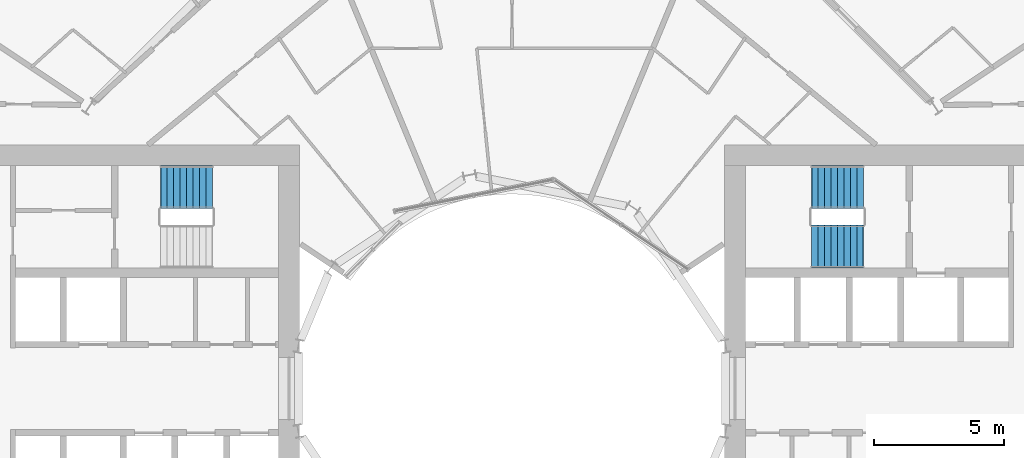
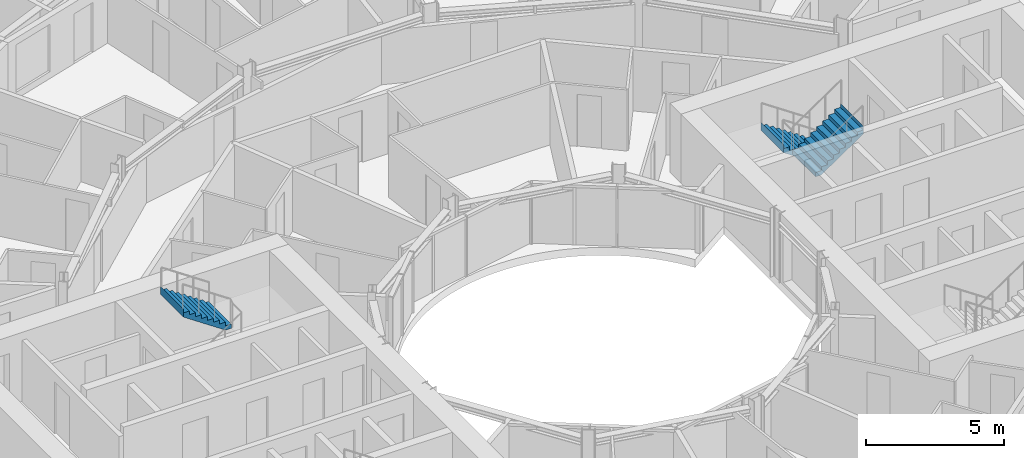
# One storey, part 24 of 26: 3 stair flights, 2 elements without a shape of their own.
"""IFC4 building model written with IfcOpenShell, lengths in metres."""

from ifc_helpers import new_model, si_unit, direction, frame, origin, place, context, subcontext, project, spatial, triangles, material, type_object, element, aggregate, save


model = new_model("IFC4")

# Units and contexts
model_context = context("Model", 3, precision=1e-05, world=origin(), true_north=direction((0.0, 1.0)))
body_context = subcontext(model_context, "Body", "Model", "MODEL_VIEW")
ifc_project = project(units=[si_unit("LENGTHUNIT", "METRE"), si_unit("AREAUNIT", "SQUARE_METRE"), si_unit("VOLUMEUNIT", "CUBIC_METRE"), si_unit("PLANEANGLEUNIT", "RADIAN"), si_unit("MASSUNIT", "GRAM", prefix="KILO")], contexts=[model_context])

# Site, building, storey
site_placement = place(None, origin())
site = spatial("IfcSite", under=ifc_project, at=site_placement, CompositionType="ELEMENT")
building_placement = place(site_placement, origin())
building = spatial("IfcBuilding", under=site, at=building_placement, Name="Maasbend Ring Residences", CompositionType="ELEMENT")
storey_placement = place(building_placement, frame((0.0, 0.0, 35.0)))
storey = spatial("IfcBuildingStorey", under=building, at=storey_placement, Name="L09", CompositionType="ELEMENT", Elevation=35.0)

# Stair, stair flights
ifc_material_1 = material(Name="Concrete C40/50", Category="concrete")
stair_type = type_object("IfcStairType", Name="CORE STAIR 18 RISERS", PredefinedType="HALF_TURN_STAIR", material=ifc_material_1)
stair_1_placement = place(storey_placement, origin())
stair_1 = element("IfcStair", 1, at=stair_1_placement, inside=storey, type_object=stair_type, Name="L09 Exit stair ST-E1", PredefinedType="HALF_TURN_STAIR")
ifc_material_2 = material(Name="Concrete C40/50", Category="concrete")
stair_flight_type = type_object("IfcStairFlightType", Name="CORE STAIR FLIGHT 1650", PredefinedType="STRAIGHT", material=ifc_material_2)
stair_flight_1_placement = place(storey_placement, frame((13.550048828125, 7.77490234375, 0.0), z_axis=(0.0, 0.0, 1.0), x_axis=(-1.0, 0.0, 0.0)))
stair_flight_1 = element("IfcStairFlight", 2, at=stair_flight_1_placement, type_object=stair_flight_type, Name="ST-E1 flight 1", NumberOfRisers=9, NumberOfTreads=8, PredefinedType="STRAIGHT", RiserHeight=0.169444444, TreadLength=0.25, context=body_context, shape_type="Tessellation", body=[
    triangles([(0.24072265625, 0.824951171875, -0.02001953125), (2.0029296875, 0.824951171875, 1.174560546875), (2.0029296875, 0.824951171875, 1.52490234375), (1.989990234375, 0.824951171875, 1.35546875), (1.75, 0.824951171875, 1.35546875), (1.75, 0.824951171875, 1.18603515625), (1.5, 0.824951171875, 1.18603515625), (1.5, 0.824951171875, 1.0166015625), (1.25, 0.824951171875, 1.0166015625), (1.25, 0.824951171875, 0.84716796875), (1.0, 0.824951171875, 0.84716796875), (1.0, 0.824951171875, 0.677734375), (0.75, 0.824951171875, 0.677734375), (0.75, 0.824951171875, 0.50830078125), (0.5, 0.824951171875, 0.50830078125), (0.5, 0.824951171875, 0.3388671875), (0.25, 0.824951171875, 0.3388671875), (0.25, 0.824951171875, 0.16943359375), (0.0, 0.824951171875, 0.16943359375), (0.0, 0.824951171875, 0.0), (-0.0029296875, 0.824951171875, 0.0), (-0.0029296875, 0.824951171875, -0.02001953125), (0.24072265625, 0.27490234375, -0.02001953125), (2.0029296875, 0.27490234375, 1.174560546875), (2.0029296875, 0.27490234375, 1.52490234375), (1.989990234375, 0.27490234375, 1.35546875), (1.75, 0.27490234375, 1.35546875), (1.75, 0.27490234375, 1.18603515625), (1.5, 0.27490234375, 1.18603515625), (1.5, 0.27490234375, 1.0166015625), (1.25, 0.27490234375, 1.0166015625), (1.25, 0.27490234375, 0.84716796875), (1.0, 0.27490234375, 0.84716796875), (1.0, 0.27490234375, 0.677734375), (0.75, 0.27490234375, 0.677734375), (0.75, 0.27490234375, 0.50830078125), (0.5, 0.27490234375, 0.50830078125), (0.5, 0.27490234375, 0.3388671875), (0.25, 0.27490234375, 0.3388671875), (0.25, 0.27490234375, 0.16943359375), (0.0, 0.27490234375, 0.16943359375), (0.0, 0.27490234375, 0.0), (-0.0029296875, 0.27490234375, 0.0), (-0.0029296875, 0.27490234375, -0.02001953125), (0.24072265625, -0.27490234375, -0.02001953125), (2.0029296875, -0.27490234375, 1.174560546875), (2.0029296875, -0.27490234375, 1.52490234375), (1.989990234375, -0.27490234375, 1.35546875), (1.75, -0.27490234375, 1.35546875), (1.75, -0.27490234375, 1.18603515625), (1.5, -0.27490234375, 1.18603515625), (1.5, -0.27490234375, 1.0166015625), (1.25, -0.27490234375, 1.0166015625), (1.25, -0.27490234375, 0.84716796875), (1.0, -0.27490234375, 0.84716796875), (1.0, -0.27490234375, 0.677734375), (0.75, -0.27490234375, 0.677734375), (0.75, -0.27490234375, 0.50830078125), (0.5, -0.27490234375, 0.50830078125), (0.5, -0.27490234375, 0.3388671875), (0.25, -0.27490234375, 0.3388671875), (0.25, -0.27490234375, 0.16943359375), (0.0, -0.27490234375, 0.16943359375), (0.0, -0.27490234375, 0.0), (-0.0029296875, -0.27490234375, 0.0), (-0.0029296875, -0.27490234375, -0.02001953125), (0.24072265625, -0.824951171875, -0.02001953125), (2.0029296875, -0.824951171875, 1.174560546875), (2.0029296875, -0.824951171875, 1.52490234375), (1.989990234375, -0.824951171875, 1.35546875), (1.75, -0.824951171875, 1.35546875), (1.75, -0.824951171875, 1.18603515625), (1.5, -0.824951171875, 1.18603515625), (1.5, -0.824951171875, 1.0166015625), (1.25, -0.824951171875, 1.0166015625), (1.25, -0.824951171875, 0.84716796875), (1.0, -0.824951171875, 0.84716796875), (1.0, -0.824951171875, 0.677734375), (0.75, -0.824951171875, 0.677734375), (0.75, -0.824951171875, 0.50830078125), (0.5, -0.824951171875, 0.50830078125), (0.5, -0.824951171875, 0.3388671875), (0.25, -0.824951171875, 0.3388671875), (0.25, -0.824951171875, 0.16943359375), (0.0, -0.824951171875, 0.16943359375), (0.0, -0.824951171875, 0.0), (-0.0029296875, -0.824951171875, 0.0), (-0.0029296875, -0.824951171875, -0.02001953125)], [[1, 2, 24], [1, 24, 23], [23, 24, 46], [23, 46, 45], [45, 46, 68], [45, 68, 67], [2, 3, 25], [2, 25, 24], [24, 25, 47], [24, 47, 46], [46, 47, 69], [46, 69, 68], [3, 4, 26], [3, 26, 25], [25, 26, 48], [25, 48, 47], [47, 48, 70], [47, 70, 69], [4, 5, 27], [4, 27, 26], [26, 27, 49], [26, 49, 48], [48, 49, 71], [48, 71, 70], [5, 6, 28], [5, 28, 27], [27, 28, 50], [27, 50, 49], [49, 50, 72], [49, 72, 71], [6, 7, 29], [6, 29, 28], [28, 29, 51], [28, 51, 50], [50, 51, 73], [50, 73, 72], [7, 8, 30], [7, 30, 29], [29, 30, 52], [29, 52, 51], [51, 52, 74], [51, 74, 73], [8, 9, 31], [8, 31, 30], [30, 31, 53], [30, 53, 52], [52, 53, 75], [52, 75, 74], [9, 10, 32], [9, 32, 31], [31, 32, 54], [31, 54, 53], [53, 54, 76], [53, 76, 75], [10, 11, 33], [10, 33, 32], [32, 33, 55], [32, 55, 54], [54, 55, 77], [54, 77, 76], [11, 12, 34], [11, 34, 33], [33, 34, 56], [33, 56, 55], [55, 56, 78], [55, 78, 77], [12, 13, 35], [12, 35, 34], [34, 35, 57], [34, 57, 56], [56, 57, 79], [56, 79, 78], [13, 14, 36], [13, 36, 35], [35, 36, 58], [35, 58, 57], [57, 58, 80], [57, 80, 79], [14, 15, 37], [14, 37, 36], [36, 37, 59], [36, 59, 58], [58, 59, 81], [58, 81, 80], [15, 16, 38], [15, 38, 37], [37, 38, 60], [37, 60, 59], [59, 60, 82], [59, 82, 81], [16, 17, 39], [16, 39, 38], [38, 39, 61], [38, 61, 60], [60, 61, 83], [60, 83, 82], [17, 18, 40], [17, 40, 39], [39, 40, 62], [39, 62, 61], [61, 62, 84], [61, 84, 83], [18, 19, 41], [18, 41, 40], [40, 41, 63], [40, 63, 62], [62, 63, 85], [62, 85, 84], [19, 20, 42], [19, 42, 41], [41, 42, 64], [41, 64, 63], [63, 64, 86], [63, 86, 85], [20, 21, 43], [20, 43, 42], [42, 43, 65], [42, 65, 64], [64, 65, 87], [64, 87, 86], [21, 22, 44], [21, 44, 43], [43, 44, 66], [43, 66, 65], [65, 66, 88], [65, 88, 87], [22, 1, 23], [22, 23, 44], [44, 23, 45], [44, 45, 66], [66, 45, 67], [66, 67, 88], [22, 2, 1], [2, 4, 3], [2, 5, 4], [2, 6, 5], [22, 6, 2], [6, 8, 7], [22, 8, 6], [8, 10, 9], [22, 10, 8], [10, 12, 11], [22, 12, 10], [12, 14, 13], [22, 14, 12], [14, 16, 15], [22, 16, 14], [16, 18, 17], [22, 18, 16], [18, 20, 19], [22, 20, 18], [20, 22, 21], [88, 67, 68], [68, 69, 70], [68, 70, 71], [68, 71, 72], [88, 68, 72], [72, 73, 74], [88, 72, 74], [74, 75, 76], [88, 74, 76], [76, 77, 78], [88, 76, 78], [78, 79, 80], [88, 78, 80], [80, 81, 82], [88, 80, 82], [82, 83, 84], [88, 82, 84], [84, 85, 86], [88, 84, 86], [86, 87, 88]], closed=True),
])
stair_flight_2_placement = place(storey_placement, frame((11.550048828125, 5.47509765625, 1.52490234375), z_axis=(0.0, 0.0, 1.0), x_axis=(1.0, 0.0, 0.0)))
stair_flight_2 = element("IfcStairFlight", 3, at=stair_flight_2_placement, type_object=stair_flight_type, Name="ST-E1 flight 2", NumberOfRisers=9, NumberOfTreads=8, PredefinedType="STRAIGHT", RiserHeight=0.169444444, TreadLength=0.25, context=body_context, shape_type="Tessellation", body=[
    triangles([(0.24072265625, 0.824951171875, -0.02001953125), (2.0029296875, 0.824951171875, 1.174560546875), (2.0029296875, 0.824951171875, 1.52490234375), (1.989990234375, 0.824951171875, 1.35546875), (1.75, 0.824951171875, 1.35546875), (1.75, 0.824951171875, 1.18603515625), (1.5, 0.824951171875, 1.18603515625), (1.5, 0.824951171875, 1.0166015625), (1.25, 0.824951171875, 1.0166015625), (1.25, 0.824951171875, 0.84716796875), (1.0, 0.824951171875, 0.84716796875), (1.0, 0.824951171875, 0.677734375), (0.75, 0.824951171875, 0.677734375), (0.75, 0.824951171875, 0.50830078125), (0.5, 0.824951171875, 0.50830078125), (0.5, 0.824951171875, 0.3388671875), (0.25, 0.824951171875, 0.3388671875), (0.25, 0.824951171875, 0.16943359375), (0.0, 0.824951171875, 0.16943359375), (0.0, 0.824951171875, 0.0), (-0.0029296875, 0.824951171875, 0.0), (-0.0029296875, 0.824951171875, -0.02001953125), (0.24072265625, 0.27490234375, -0.02001953125), (2.0029296875, 0.27490234375, 1.174560546875), (2.0029296875, 0.27490234375, 1.52490234375), (1.989990234375, 0.27490234375, 1.35546875), (1.75, 0.27490234375, 1.35546875), (1.75, 0.27490234375, 1.18603515625), (1.5, 0.27490234375, 1.18603515625), (1.5, 0.27490234375, 1.0166015625), (1.25, 0.27490234375, 1.0166015625), (1.25, 0.27490234375, 0.84716796875), (1.0, 0.27490234375, 0.84716796875), (1.0, 0.27490234375, 0.677734375), (0.75, 0.27490234375, 0.677734375), (0.75, 0.27490234375, 0.50830078125), (0.5, 0.27490234375, 0.50830078125), (0.5, 0.27490234375, 0.3388671875), (0.25, 0.27490234375, 0.3388671875), (0.25, 0.27490234375, 0.16943359375), (0.0, 0.27490234375, 0.16943359375), (0.0, 0.27490234375, 0.0), (-0.0029296875, 0.27490234375, 0.0), (-0.0029296875, 0.27490234375, -0.02001953125), (0.24072265625, -0.27490234375, -0.02001953125), (2.0029296875, -0.27490234375, 1.174560546875), (2.0029296875, -0.27490234375, 1.52490234375), (1.989990234375, -0.27490234375, 1.35546875), (1.75, -0.27490234375, 1.35546875), (1.75, -0.27490234375, 1.18603515625), (1.5, -0.27490234375, 1.18603515625), (1.5, -0.27490234375, 1.0166015625), (1.25, -0.27490234375, 1.0166015625), (1.25, -0.27490234375, 0.84716796875), (1.0, -0.27490234375, 0.84716796875), (1.0, -0.27490234375, 0.677734375), (0.75, -0.27490234375, 0.677734375), (0.75, -0.27490234375, 0.50830078125), (0.5, -0.27490234375, 0.50830078125), (0.5, -0.27490234375, 0.3388671875), (0.25, -0.27490234375, 0.3388671875), (0.25, -0.27490234375, 0.16943359375), (0.0, -0.27490234375, 0.16943359375), (0.0, -0.27490234375, 0.0), (-0.0029296875, -0.27490234375, 0.0), (-0.0029296875, -0.27490234375, -0.02001953125), (0.24072265625, -0.824951171875, -0.02001953125), (2.0029296875, -0.824951171875, 1.174560546875), (2.0029296875, -0.824951171875, 1.52490234375), (1.989990234375, -0.824951171875, 1.35546875), (1.75, -0.824951171875, 1.35546875), (1.75, -0.824951171875, 1.18603515625), (1.5, -0.824951171875, 1.18603515625), (1.5, -0.824951171875, 1.0166015625), (1.25, -0.824951171875, 1.0166015625), (1.25, -0.824951171875, 0.84716796875), (1.0, -0.824951171875, 0.84716796875), (1.0, -0.824951171875, 0.677734375), (0.75, -0.824951171875, 0.677734375), (0.75, -0.824951171875, 0.50830078125), (0.5, -0.824951171875, 0.50830078125), (0.5, -0.824951171875, 0.3388671875), (0.25, -0.824951171875, 0.3388671875), (0.25, -0.824951171875, 0.16943359375), (0.0, -0.824951171875, 0.16943359375), (0.0, -0.824951171875, 0.0), (-0.0029296875, -0.824951171875, 0.0), (-0.0029296875, -0.824951171875, -0.02001953125)], [[1, 2, 24], [1, 24, 23], [23, 24, 46], [23, 46, 45], [45, 46, 68], [45, 68, 67], [2, 3, 25], [2, 25, 24], [24, 25, 47], [24, 47, 46], [46, 47, 69], [46, 69, 68], [3, 4, 26], [3, 26, 25], [25, 26, 48], [25, 48, 47], [47, 48, 70], [47, 70, 69], [4, 5, 27], [4, 27, 26], [26, 27, 49], [26, 49, 48], [48, 49, 71], [48, 71, 70], [5, 6, 28], [5, 28, 27], [27, 28, 50], [27, 50, 49], [49, 50, 72], [49, 72, 71], [6, 7, 29], [6, 29, 28], [28, 29, 51], [28, 51, 50], [50, 51, 73], [50, 73, 72], [7, 8, 30], [7, 30, 29], [29, 30, 52], [29, 52, 51], [51, 52, 74], [51, 74, 73], [8, 9, 31], [8, 31, 30], [30, 31, 53], [30, 53, 52], [52, 53, 75], [52, 75, 74], [9, 10, 32], [9, 32, 31], [31, 32, 54], [31, 54, 53], [53, 54, 76], [53, 76, 75], [10, 11, 33], [10, 33, 32], [32, 33, 55], [32, 55, 54], [54, 55, 77], [54, 77, 76], [11, 12, 34], [11, 34, 33], [33, 34, 56], [33, 56, 55], [55, 56, 78], [55, 78, 77], [12, 13, 35], [12, 35, 34], [34, 35, 57], [34, 57, 56], [56, 57, 79], [56, 79, 78], [13, 14, 36], [13, 36, 35], [35, 36, 58], [35, 58, 57], [57, 58, 80], [57, 80, 79], [14, 15, 37], [14, 37, 36], [36, 37, 59], [36, 59, 58], [58, 59, 81], [58, 81, 80], [15, 16, 38], [15, 38, 37], [37, 38, 60], [37, 60, 59], [59, 60, 82], [59, 82, 81], [16, 17, 39], [16, 39, 38], [38, 39, 61], [38, 61, 60], [60, 61, 83], [60, 83, 82], [17, 18, 40], [17, 40, 39], [39, 40, 62], [39, 62, 61], [61, 62, 84], [61, 84, 83], [18, 19, 41], [18, 41, 40], [40, 41, 63], [40, 63, 62], [62, 63, 85], [62, 85, 84], [19, 20, 42], [19, 42, 41], [41, 42, 64], [41, 64, 63], [63, 64, 86], [63, 86, 85], [20, 21, 43], [20, 43, 42], [42, 43, 65], [42, 65, 64], [64, 65, 87], [64, 87, 86], [21, 22, 44], [21, 44, 43], [43, 44, 66], [43, 66, 65], [65, 66, 88], [65, 88, 87], [22, 1, 23], [22, 23, 44], [44, 23, 45], [44, 45, 66], [66, 45, 67], [66, 67, 88], [22, 2, 1], [2, 4, 3], [2, 5, 4], [2, 6, 5], [22, 6, 2], [6, 8, 7], [22, 8, 6], [8, 10, 9], [22, 10, 8], [10, 12, 11], [22, 12, 10], [12, 14, 13], [22, 14, 12], [14, 16, 15], [22, 16, 14], [16, 18, 17], [22, 18, 16], [18, 20, 19], [22, 20, 18], [20, 22, 21], [88, 67, 68], [68, 69, 70], [68, 70, 71], [68, 71, 72], [88, 68, 72], [72, 73, 74], [88, 72, 74], [74, 75, 76], [88, 74, 76], [76, 77, 78], [88, 76, 78], [78, 79, 80], [88, 78, 80], [80, 81, 82], [88, 80, 82], [82, 83, 84], [88, 82, 84], [84, 85, 86], [88, 84, 86], [86, 87, 88]], closed=True),
])
aggregate(stair_1, [stair_flight_1, stair_flight_2])

# Stair, stair flight
stair_2_placement = place(storey_placement, origin())
stair_2 = element("IfcStair", 4, at=stair_2_placement, inside=storey, type_object=stair_type, Name="L09 Exit stair ST-W2", PredefinedType="HALF_TURN_STAIR")
stair_flight_3_placement = place(storey_placement, frame((-11.550048828125, 7.77490234375, 1.52490234375), z_axis=(0.0, 0.0, 1.0), x_axis=(-1.0, 0.0, 0.0)))
stair_flight_3 = element("IfcStairFlight", 5, at=stair_flight_3_placement, type_object=stair_flight_type, Name="ST-W2 flight 2", NumberOfRisers=9, NumberOfTreads=8, PredefinedType="STRAIGHT", RiserHeight=0.169444444, TreadLength=0.25, context=body_context, shape_type="Tessellation", body=[
    triangles([(0.24072265625, 0.824951171875, -0.02001953125), (2.0029296875, 0.824951171875, 1.174560546875), (2.0029296875, 0.824951171875, 1.52490234375), (1.989990234375, 0.824951171875, 1.35546875), (1.75, 0.824951171875, 1.35546875), (1.75, 0.824951171875, 1.18603515625), (1.5, 0.824951171875, 1.18603515625), (1.5, 0.824951171875, 1.0166015625), (1.25, 0.824951171875, 1.0166015625), (1.25, 0.824951171875, 0.84716796875), (1.0, 0.824951171875, 0.84716796875), (1.0, 0.824951171875, 0.677734375), (0.75, 0.824951171875, 0.677734375), (0.75, 0.824951171875, 0.50830078125), (0.5, 0.824951171875, 0.50830078125), (0.5, 0.824951171875, 0.3388671875), (0.25, 0.824951171875, 0.3388671875), (0.25, 0.824951171875, 0.16943359375), (0.0, 0.824951171875, 0.16943359375), (0.0, 0.824951171875, 0.0), (-0.0029296875, 0.824951171875, 0.0), (-0.0029296875, 0.824951171875, -0.02001953125), (0.24072265625, 0.27490234375, -0.02001953125), (2.0029296875, 0.27490234375, 1.174560546875), (2.0029296875, 0.27490234375, 1.52490234375), (1.989990234375, 0.27490234375, 1.35546875), (1.75, 0.27490234375, 1.35546875), (1.75, 0.27490234375, 1.18603515625), (1.5, 0.27490234375, 1.18603515625), (1.5, 0.27490234375, 1.0166015625), (1.25, 0.27490234375, 1.0166015625), (1.25, 0.27490234375, 0.84716796875), (1.0, 0.27490234375, 0.84716796875), (1.0, 0.27490234375, 0.677734375), (0.75, 0.27490234375, 0.677734375), (0.75, 0.27490234375, 0.50830078125), (0.5, 0.27490234375, 0.50830078125), (0.5, 0.27490234375, 0.3388671875), (0.25, 0.27490234375, 0.3388671875), (0.25, 0.27490234375, 0.16943359375), (0.0, 0.27490234375, 0.16943359375), (0.0, 0.27490234375, 0.0), (-0.0029296875, 0.27490234375, 0.0), (-0.0029296875, 0.27490234375, -0.02001953125), (0.24072265625, -0.27490234375, -0.02001953125), (2.0029296875, -0.27490234375, 1.174560546875), (2.0029296875, -0.27490234375, 1.52490234375), (1.989990234375, -0.27490234375, 1.35546875), (1.75, -0.27490234375, 1.35546875), (1.75, -0.27490234375, 1.18603515625), (1.5, -0.27490234375, 1.18603515625), (1.5, -0.27490234375, 1.0166015625), (1.25, -0.27490234375, 1.0166015625), (1.25, -0.27490234375, 0.84716796875), (1.0, -0.27490234375, 0.84716796875), (1.0, -0.27490234375, 0.677734375), (0.75, -0.27490234375, 0.677734375), (0.75, -0.27490234375, 0.50830078125), (0.5, -0.27490234375, 0.50830078125), (0.5, -0.27490234375, 0.3388671875), (0.25, -0.27490234375, 0.3388671875), (0.25, -0.27490234375, 0.16943359375), (0.0, -0.27490234375, 0.16943359375), (0.0, -0.27490234375, 0.0), (-0.0029296875, -0.27490234375, 0.0), (-0.0029296875, -0.27490234375, -0.02001953125), (0.24072265625, -0.824951171875, -0.02001953125), (2.0029296875, -0.824951171875, 1.174560546875), (2.0029296875, -0.824951171875, 1.52490234375), (1.989990234375, -0.824951171875, 1.35546875), (1.75, -0.824951171875, 1.35546875), (1.75, -0.824951171875, 1.18603515625), (1.5, -0.824951171875, 1.18603515625), (1.5, -0.824951171875, 1.0166015625), (1.25, -0.824951171875, 1.0166015625), (1.25, -0.824951171875, 0.84716796875), (1.0, -0.824951171875, 0.84716796875), (1.0, -0.824951171875, 0.677734375), (0.75, -0.824951171875, 0.677734375), (0.75, -0.824951171875, 0.50830078125), (0.5, -0.824951171875, 0.50830078125), (0.5, -0.824951171875, 0.3388671875), (0.25, -0.824951171875, 0.3388671875), (0.25, -0.824951171875, 0.16943359375), (0.0, -0.824951171875, 0.16943359375), (0.0, -0.824951171875, 0.0), (-0.0029296875, -0.824951171875, 0.0), (-0.0029296875, -0.824951171875, -0.02001953125)], [[1, 2, 24], [1, 24, 23], [23, 24, 46], [23, 46, 45], [45, 46, 68], [45, 68, 67], [2, 3, 25], [2, 25, 24], [24, 25, 47], [24, 47, 46], [46, 47, 69], [46, 69, 68], [3, 4, 26], [3, 26, 25], [25, 26, 48], [25, 48, 47], [47, 48, 70], [47, 70, 69], [4, 5, 27], [4, 27, 26], [26, 27, 49], [26, 49, 48], [48, 49, 71], [48, 71, 70], [5, 6, 28], [5, 28, 27], [27, 28, 50], [27, 50, 49], [49, 50, 72], [49, 72, 71], [6, 7, 29], [6, 29, 28], [28, 29, 51], [28, 51, 50], [50, 51, 73], [50, 73, 72], [7, 8, 30], [7, 30, 29], [29, 30, 52], [29, 52, 51], [51, 52, 74], [51, 74, 73], [8, 9, 31], [8, 31, 30], [30, 31, 53], [30, 53, 52], [52, 53, 75], [52, 75, 74], [9, 10, 32], [9, 32, 31], [31, 32, 54], [31, 54, 53], [53, 54, 76], [53, 76, 75], [10, 11, 33], [10, 33, 32], [32, 33, 55], [32, 55, 54], [54, 55, 77], [54, 77, 76], [11, 12, 34], [11, 34, 33], [33, 34, 56], [33, 56, 55], [55, 56, 78], [55, 78, 77], [12, 13, 35], [12, 35, 34], [34, 35, 57], [34, 57, 56], [56, 57, 79], [56, 79, 78], [13, 14, 36], [13, 36, 35], [35, 36, 58], [35, 58, 57], [57, 58, 80], [57, 80, 79], [14, 15, 37], [14, 37, 36], [36, 37, 59], [36, 59, 58], [58, 59, 81], [58, 81, 80], [15, 16, 38], [15, 38, 37], [37, 38, 60], [37, 60, 59], [59, 60, 82], [59, 82, 81], [16, 17, 39], [16, 39, 38], [38, 39, 61], [38, 61, 60], [60, 61, 83], [60, 83, 82], [17, 18, 40], [17, 40, 39], [39, 40, 62], [39, 62, 61], [61, 62, 84], [61, 84, 83], [18, 19, 41], [18, 41, 40], [40, 41, 63], [40, 63, 62], [62, 63, 85], [62, 85, 84], [19, 20, 42], [19, 42, 41], [41, 42, 64], [41, 64, 63], [63, 64, 86], [63, 86, 85], [20, 21, 43], [20, 43, 42], [42, 43, 65], [42, 65, 64], [64, 65, 87], [64, 87, 86], [21, 22, 44], [21, 44, 43], [43, 44, 66], [43, 66, 65], [65, 66, 88], [65, 88, 87], [22, 1, 23], [22, 23, 44], [44, 23, 45], [44, 45, 66], [66, 45, 67], [66, 67, 88], [22, 2, 1], [2, 4, 3], [2, 5, 4], [2, 6, 5], [22, 6, 2], [6, 8, 7], [22, 8, 6], [8, 10, 9], [22, 10, 8], [10, 12, 11], [22, 12, 10], [12, 14, 13], [22, 14, 12], [14, 16, 15], [22, 16, 14], [16, 18, 17], [22, 18, 16], [18, 20, 19], [22, 20, 18], [20, 22, 21], [88, 67, 68], [68, 69, 70], [68, 70, 71], [68, 71, 72], [88, 68, 72], [72, 73, 74], [88, 72, 74], [74, 75, 76], [88, 74, 76], [76, 77, 78], [88, 76, 78], [78, 79, 80], [88, 78, 80], [80, 81, 82], [88, 80, 82], [82, 83, 84], [88, 82, 84], [84, 85, 86], [88, 84, 86], [86, 87, 88]], closed=True),
])
aggregate(stair_2, [stair_flight_3])

save(model, "model.ifc")
